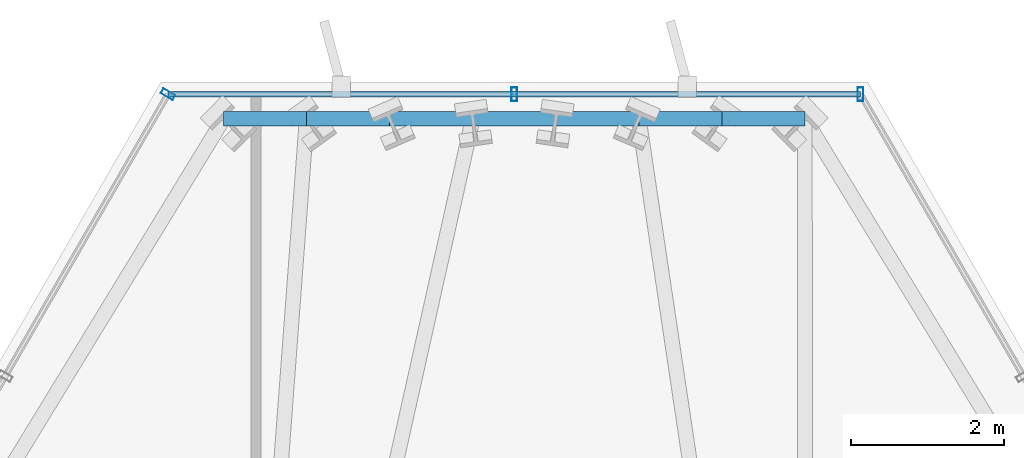
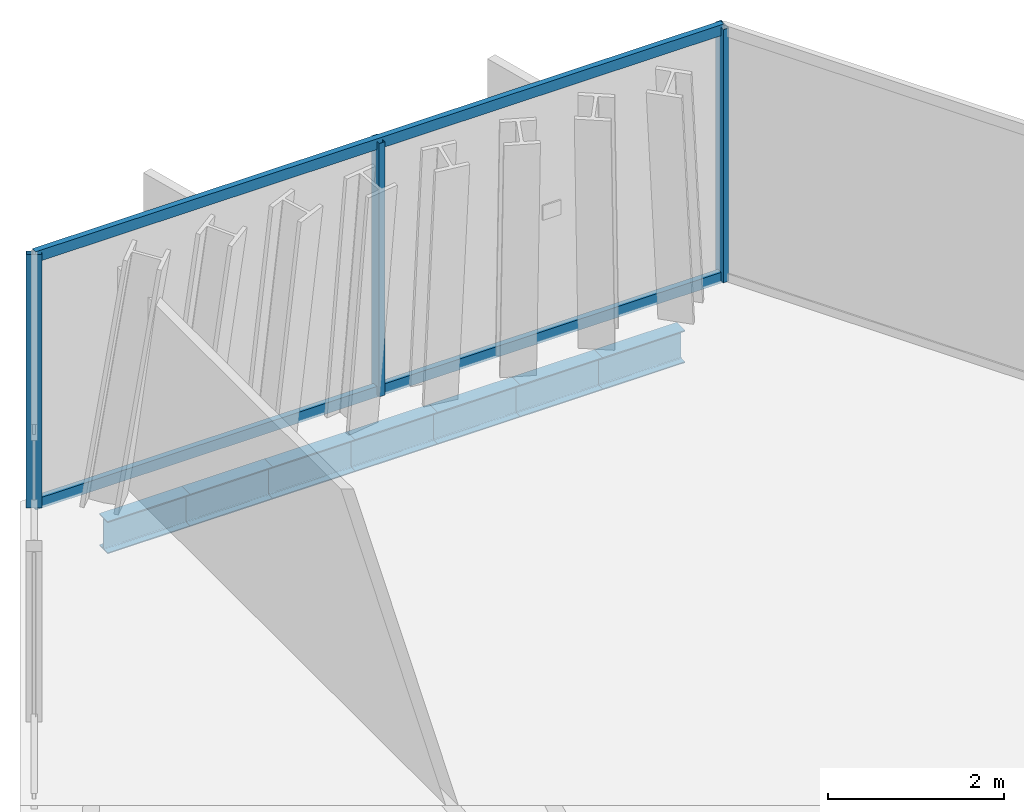
# One storey, part 23 of 34: 7 beams, 5 members, 2 elements without a shape of their own.
"""IFC4 building model written with IfcOpenShell, lengths in metres."""

from ifc_helpers import new_model, si_unit, direction, frame, origin, origin_2d, place, context, subcontext, project, spatial, hollow_rectangle, i_section, extrude, material, layer, layer_set, material_profile, profile_set, type_object, element, aggregate, save


model = new_model("IFC4")

# Units and contexts
model_context = context("Model", 3, precision=1e-05, world=origin(), true_north=direction((0.0, 1.0)))
body_context = subcontext(model_context, "Body", "Model", "MODEL_VIEW")
ifc_project = project(units=[si_unit("LENGTHUNIT", "METRE"), si_unit("AREAUNIT", "SQUARE_METRE"), si_unit("VOLUMEUNIT", "CUBIC_METRE"), si_unit("PLANEANGLEUNIT", "RADIAN"), si_unit("MASSUNIT", "GRAM", prefix="KILO")], contexts=[model_context])

# Site, building, storey
site_placement = place(None, origin())
site = spatial("IfcSite", under=ifc_project, at=site_placement, CompositionType="ELEMENT")
building_placement = place(site_placement, origin())
building = spatial("IfcBuilding", under=site, at=building_placement, Name="Ndaravel Arena Tower", CompositionType="ELEMENT")
storey_placement = place(building_placement, frame((0.0, 0.0, 199.199951171875)))
storey = spatial("IfcBuildingStorey", under=building, at=storey_placement, Name="L48", CompositionType="ELEMENT", Elevation=199.199951171875)

# Beams
ifc_material_1 = material(Name="Steel S355", Category="steel")
ifc_material_profile_1 = material_profile(ifc_material_1, i_section(OverallWidth=0.18994140625, OverallDepth=0.449951171875, WebThickness=0.009521484375, FlangeThickness=0.0146484375, FilletRadius=0.02099609375, at=origin_2d()), Name="IPE 450")
ifc_profile_set_1 = profile_set([ifc_material_profile_1], Name="Steel S355")
beam_type = type_object("IfcBeamType", Name="BM-SPAN-IPE450", PredefinedType="SPANDREL", material=ifc_profile_set_1)
for number, where, z_axis, x_axis, name in (
    (1, (45.7958984375, 45.805908203125, -0.445068359375), (-1.0, 0.0, 0.0), (0.0, -1.0, 0.0), "L48 Perimeter Spandrel Beam SP-11"),
    (2, (44.71142578125, 45.805908203125, -0.445068359375), (-1.0, 0.0, 0.0), (0.0, -1.0, 0.0), "L48 Perimeter Spandrel Beam SP-12"),
):
    element("IfcBeam", number, at=place(storey_placement, frame(where, z_axis=z_axis, x_axis=x_axis)), inside=storey, type_object=beam_type, Name=name, PredefinedType="SPANDREL", context=body_context, shape_type="SweptSolid", body=[
        extrude(i_section(OverallWidth=0.18994140625, OverallDepth=0.449951171875, WebThickness=0.009521484375, FlangeThickness=0.0146484375, FilletRadius=0.02099609375, at=origin_2d()), origin(), (0.0, 0.0, 1.0), 1.08447265625),
    ])
beam_1_placement = place(storey_placement, frame((43.626953125, 45.805908203125, -0.445068359375), z_axis=(-1.0, 0.0, 0.0), x_axis=(0.0, -1.0, 0.0)))
element("IfcBeam", 3, at=beam_1_placement, inside=storey, type_object=beam_type, Name="L48 Perimeter Spandrel Beam SP-13", PredefinedType="SPANDREL", context=body_context, shape_type="SweptSolid", body=[
    extrude(i_section(OverallWidth=0.18994140625, OverallDepth=0.449951171875, WebThickness=0.009521484375, FlangeThickness=0.0146484375, FilletRadius=0.02099609375, at=origin_2d()), origin(), (0.0, 0.0, 1.0), 1.084716796875),
])
beam_2_placement = place(storey_placement, frame((42.542236328125, 45.805908203125, -0.445068359375), z_axis=(-1.0, 0.0, 0.0), x_axis=(0.0, -1.0, 0.0)))
element("IfcBeam", 4, at=beam_2_placement, inside=storey, type_object=beam_type, Name="L48 Perimeter Spandrel Beam SP-14", PredefinedType="SPANDREL", context=body_context, shape_type="SweptSolid", body=[
    extrude(i_section(OverallWidth=0.18994140625, OverallDepth=0.449951171875, WebThickness=0.009521484375, FlangeThickness=0.0146484375, FilletRadius=0.02099609375, at=origin_2d()), origin(), (0.0, 0.0, 1.0), 1.08447265625),
])
beam_3_placement = place(storey_placement, frame((41.457763671875, 45.805908203125, -0.445068359375), z_axis=(-1.0, 0.0, 0.0), x_axis=(0.0, -1.0, 0.0)))
element("IfcBeam", 5, at=beam_3_placement, inside=storey, type_object=beam_type, Name="L48 Perimeter Spandrel Beam SP-15", PredefinedType="SPANDREL", context=body_context, shape_type="SweptSolid", body=[
    extrude(i_section(OverallWidth=0.18994140625, OverallDepth=0.449951171875, WebThickness=0.009521484375, FlangeThickness=0.0146484375, FilletRadius=0.02099609375, at=origin_2d()), origin(), (0.0, 0.0, 1.0), 1.084716796875),
])
for number, where, z_axis, x_axis, name in (
    (6, (40.373046875, 45.805908203125, -0.445068359375), (-1.0, 0.0, 0.0), (0.0, -1.0, 0.0), "L48 Perimeter Spandrel Beam SP-16"),
    (7, (39.28857421875, 45.805908203125, -0.445068359375), (-1.0, 0.0, 0.0), (0.0, -1.0, 0.0), "L48 Perimeter Spandrel Beam SP-17"),
):
    element("IfcBeam", number, at=place(storey_placement, frame(where, z_axis=z_axis, x_axis=x_axis)), inside=storey, type_object=beam_type, Name=name, PredefinedType="SPANDREL", context=body_context, shape_type="SweptSolid", body=[
        extrude(i_section(OverallWidth=0.18994140625, OverallDepth=0.449951171875, WebThickness=0.009521484375, FlangeThickness=0.0146484375, FilletRadius=0.02099609375, at=origin_2d()), origin(), (0.0, 0.0, 1.0), 1.08447265625),
    ])

# Curtain wall, members
ifc_material_2 = material(Name="Aluminium", Category="aluminium")
ifc_layer_1 = layer(ifc_material_2, 0.179931640625)
ifc_layer_set_1 = layer_set([ifc_layer_1], Name="Aluminium")
curtain_wall_type_1 = type_object("IfcCurtainWallType", Name="CW-SYS-01", PredefinedType="NOTDEFINED", material=ifc_layer_set_1)
curtain_wall_1_placement = place(storey_placement, origin())
curtain_wall_1 = element("IfcCurtainWall", 8, at=curtain_wall_1_placement, inside=storey, type_object=curtain_wall_type_1, Name="L48 Faceted Crystal Curtain Wall CW-L48-E04", PredefinedType="NOTDEFINED")
ifc_material_3 = material(Name="Aluminium", Category="aluminium")
ifc_material_profile_2 = material_profile(ifc_material_3, hollow_rectangle(XDim=0.074951171875, YDim=0.179931640625, WallThickness=0.00390625, at=origin_2d()), Name="CW MULLION 75x180x4")
ifc_profile_set_2 = profile_set([ifc_material_profile_2], Name="Aluminium")
member_type_1 = type_object("IfcMemberType", Name="MEM-CW-MUL180", PredefinedType="MULLION", material=ifc_profile_set_2)
member_1_placement = place(storey_placement, frame((46.52294921875, 46.1259765625, 0.0), z_axis=(0.0, 0.0, 1.0), x_axis=(-1.0, 0.0, 0.0)))
member_1 = element("IfcMember", 9, at=member_1_placement, type_object=member_type_1, Name="CW-L48-E04 Mullion 00", PredefinedType="MULLION", context=body_context, shape_type="SweptSolid", body=[
    extrude(hollow_rectangle(XDim=0.074951171875, YDim=0.179931640625, WallThickness=0.00390625, at=origin_2d()), origin(), (0.0, 0.0, 1.0), 3.52001953125),
])
member_2_placement = place(storey_placement, frame((42.0, 46.1259765625, 0.0), z_axis=(0.0, 0.0, 1.0), x_axis=(-1.0, 0.0, 0.0)))
member_2 = element("IfcMember", 10, at=member_2_placement, type_object=member_type_1, Name="CW-L48-E04 Mullion 01", PredefinedType="MULLION", context=body_context, shape_type="SweptSolid", body=[
    extrude(hollow_rectangle(XDim=0.074951171875, YDim=0.179931640625, WallThickness=0.00390625, at=origin_2d()), origin(), (0.0, 0.0, 1.0), 3.52001953125),
])

# Curtain wall, member
ifc_material_4 = material(Name="Aluminium", Category="aluminium")
ifc_layer_2 = layer(ifc_material_4, 0.179931640625)
ifc_layer_set_2 = layer_set([ifc_layer_2], Name="Aluminium")
curtain_wall_type_2 = type_object("IfcCurtainWallType", Name="CW-SYS-03", PredefinedType="NOTDEFINED", material=ifc_layer_set_2)
curtain_wall_2_placement = place(storey_placement, origin())
curtain_wall_2 = element("IfcCurtainWall", 11, at=curtain_wall_2_placement, inside=storey, type_object=curtain_wall_type_2, Name="L48 Faceted Crystal Curtain Wall CW-L48-E05", PredefinedType="NOTDEFINED")
member_3_placement = place(storey_placement, frame((37.47705078125, 46.1259765625, 0.0), z_axis=(0.0, 0.0, 1.0), x_axis=(-0.5, -0.866025403784, 0.0)))
member_3 = element("IfcMember", 12, at=member_3_placement, type_object=member_type_1, Name="CW-L48-E05 Mullion 00", PredefinedType="MULLION", context=body_context, shape_type="SweptSolid", body=[
    extrude(hollow_rectangle(XDim=0.074951171875, YDim=0.179931640625, WallThickness=0.00390625, at=origin_2d()), origin(), (0.0, 0.0, 1.0), 3.52001953125),
])
aggregate(curtain_wall_2, [member_3])

# Member
ifc_material_5 = material(Name="Aluminium", Category="aluminium")
ifc_material_profile_3 = material_profile(ifc_material_5, hollow_rectangle(XDim=0.074951171875, YDim=0.14990234375, WallThickness=0.00390625, at=origin_2d()), Name="CW TRANSOM 75x150x4")
ifc_profile_set_3 = profile_set([ifc_material_profile_3], Name="Aluminium")
member_type_2 = type_object("IfcMemberType", Name="MEM-CW-TRN150", PredefinedType="USERDEFINED", material=ifc_profile_set_3)
member_4_placement = place(storey_placement, frame((46.52294921875, 46.1259765625, 0.0400390625), z_axis=(-1.0, 0.0, 0.0), x_axis=(0.0, -1.0, 0.0)))
member_4 = element("IfcMember", 13, at=member_4_placement, type_object=member_type_2, Name="CW-L48-E04 Transom 01", ObjectType="TRANSOM", PredefinedType="USERDEFINED", context=body_context, shape_type="SweptSolid", body=[
    extrude(hollow_rectangle(XDim=0.074951171875, YDim=0.14990234375, WallThickness=0.00390625, at=origin_2d()), origin(), (0.0, 0.0, 1.0), 9.0458984375),
])

member_5_placement = place(storey_placement, frame((46.52294921875, 46.1259765625, 3.47998046875), z_axis=(-1.0, 0.0, 0.0), x_axis=(0.0, -1.0, 0.0)))
member_5 = element("IfcMember", 14, at=member_5_placement, type_object=member_type_2, Name="CW-L48-E04 Transom 02", ObjectType="TRANSOM", PredefinedType="USERDEFINED", context=body_context, shape_type="SweptSolid", body=[
    extrude(hollow_rectangle(XDim=0.074951171875, YDim=0.14990234375, WallThickness=0.00390625, at=origin_2d()), origin(), (0.0, 0.0, 1.0), 9.0458984375),
])

aggregate(curtain_wall_1, [member_1, member_2, member_4, member_5])

save(model, "model.ifc")
